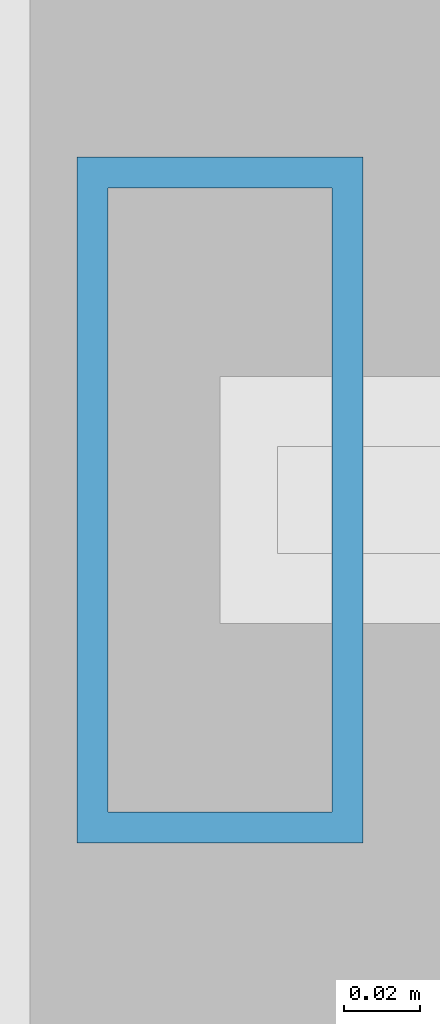
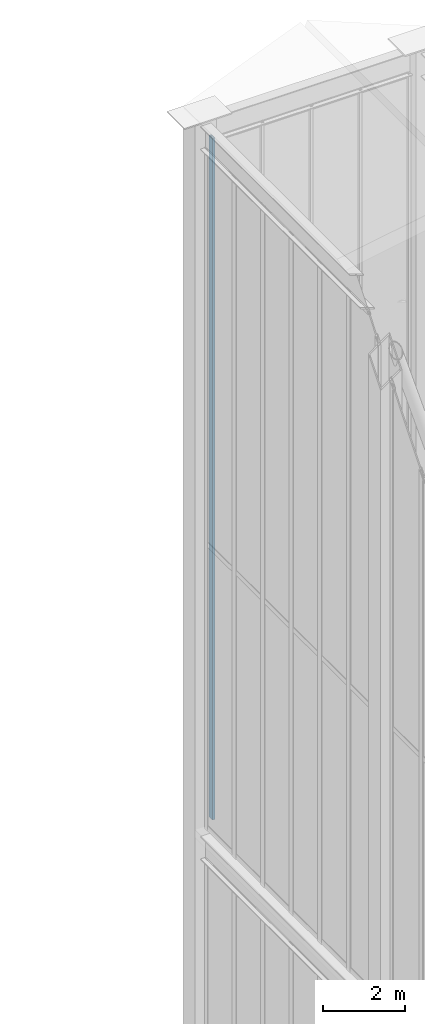
# One storey, part 108 of 135: 1 member, 1 element without a shape of its own.
"""IFC4 building model written with IfcOpenShell, lengths in metres."""

from ifc_helpers import new_model, si_unit, direction, frame, origin, origin_2d, place, context, subcontext, project, spatial, hollow_rectangle, extrude, source, transform, mapped, material, layer, layer_set, material_profile, profile_set, type_object, element, aggregate, save


model = new_model("IFC4")

# Units and contexts
model_context = context("Model", 3, precision=1e-05, world=origin(), true_north=direction((0.0, 1.0)))
body_context = subcontext(model_context, "Body", "Model", "MODEL_VIEW")
ifc_project = project(units=[si_unit("LENGTHUNIT", "METRE"), si_unit("AREAUNIT", "SQUARE_METRE"), si_unit("VOLUMEUNIT", "CUBIC_METRE"), si_unit("PLANEANGLEUNIT", "RADIAN"), si_unit("MASSUNIT", "GRAM", prefix="KILO")], contexts=[model_context])

# Site, building, storey
site_placement = place(None, origin())
site = spatial("IfcSite", under=ifc_project, at=site_placement, CompositionType="ELEMENT")
building_placement = place(site_placement, origin())
building = spatial("IfcBuilding", under=site, at=building_placement, Name="Giltprow Tower", CompositionType="ELEMENT")
storey_placement = place(building_placement, frame((0.0, 0.0, 352.699951171875)))
storey = spatial("IfcBuildingStorey", under=building, at=storey_placement, Name="L92", CompositionType="ELEMENT", Elevation=352.699951171875)

# Curtain wall, member
ifc_material = material(Name="Anodized bronze", Category="metal")
ifc_layer = layer(ifc_material, 0.179931640625, Name="Anodized bronze")
ifc_layer_set = layer_set([ifc_layer], Name="Anodized bronze")
curtain_wall_type = type_object("IfcCurtainWallType", Name="CW-CROWN-LANTERN", PredefinedType="NOTDEFINED", material=ifc_layer_set)
curtain_wall_placement = place(storey_placement, origin())
curtain_wall = element("IfcCurtainWall", 1, at=curtain_wall_placement, inside=storey, type_object=curtain_wall_type, Name="Crown East Upper Lantern Glazing 4", PredefinedType="NOTDEFINED")
ifc_material_profile = material_profile(ifc_material, hollow_rectangle(XDim=0.074951171875, YDim=0.179931640625, WallThickness=0.008056640625, at=origin_2d()), Name="RHS 180x75x8")
ifc_profile_set = profile_set([ifc_material_profile], Name="Anodized bronze")
member_type = type_object("IfcMemberType", Name="CW-MULLION-180x75", PredefinedType="MULLION", material=ifc_profile_set)
shared_shape = source(origin(), body_context, "Body", "SweptSolid", [
    extrude(hollow_rectangle(XDim=0.074951171875, YDim=0.179931640625, WallThickness=0.008056640625, at=origin_2d()), origin(), (0.0, 0.0, 1.0), 20.406005859375),
])
member_placement = place(storey_placement, frame((44.64990234375, 46.550048828125, 17.25), z_axis=(0.0, 0.0, 1.0), x_axis=(1.0, 0.0, 0.0)))
member = element("IfcMember", 2, at=member_placement, type_object=member_type, Name="Crown East Upper Lantern Glazing 4 Mullion 5", PredefinedType="MULLION", context=body_context, shape_type="MappedRepresentation", body=[
    mapped(shared_shape, transform((0.0, 0.0, 0.0), x_axis=(1.0, 0.0, 0.0), y_axis=(0.0, 1.0, 0.0), z_axis=(0.0, 0.0, 1.0), scale=1.0)),
])
aggregate(curtain_wall, [member])

save(model, "model.ifc")
